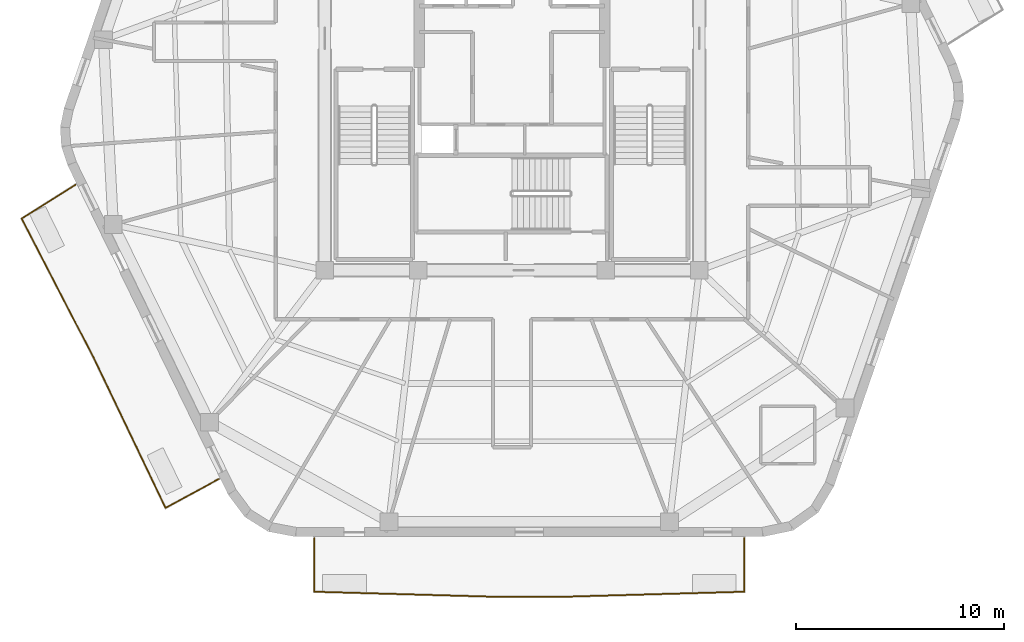
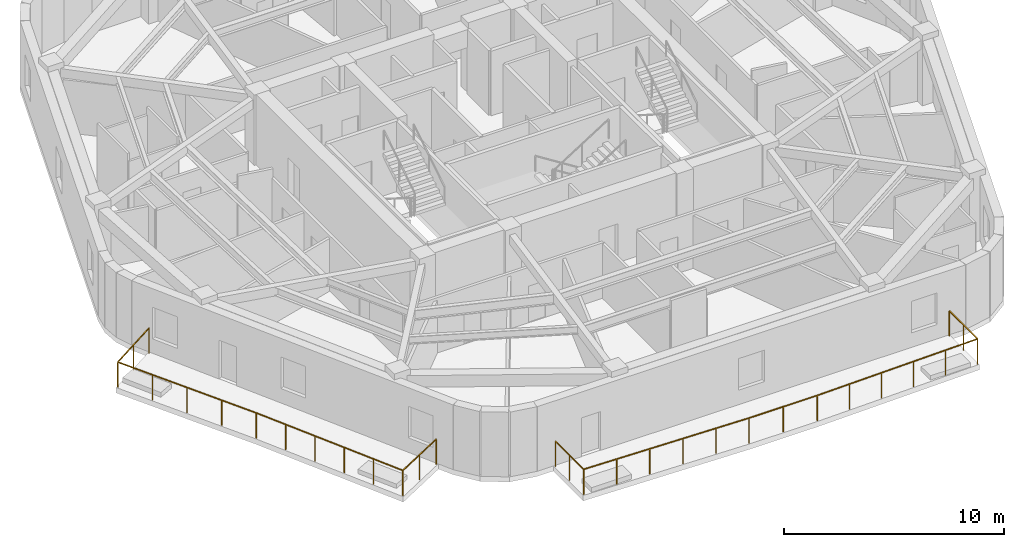
# One storey, part 7 of 9: 2 railings.
"""IFC4 building model written with IfcOpenShell, lengths in metres."""

from ifc_helpers import new_model, si_unit, direction, frame, origin, origin_2d, place, context, subcontext, project, spatial, rectangle, extrude, material, layer, layer_set, type_object, element, save


model = new_model("IFC4")

# Units and contexts
model_context = context("Model", 3, precision=1e-05, world=origin(), true_north=direction((0.0, 1.0)))
body_context = subcontext(model_context, "Body", "Model", "MODEL_VIEW")
ifc_project = project(units=[si_unit("LENGTHUNIT", "METRE"), si_unit("AREAUNIT", "SQUARE_METRE"), si_unit("VOLUMEUNIT", "CUBIC_METRE"), si_unit("PLANEANGLEUNIT", "RADIAN"), si_unit("MASSUNIT", "GRAM", prefix="KILO")], contexts=[model_context])

# Site, building, storey
site_placement = place(None, origin())
site = spatial("IfcSite", under=ifc_project, at=site_placement, CompositionType="ELEMENT")
building_placement = place(site_placement, origin())
building = spatial("IfcBuilding", under=site, at=building_placement, Name="Kilnhurst Terrace Hotel", CompositionType="ELEMENT")
storey_placement = place(building_placement, frame((0.0, 0.0, 284.699951171875)))
storey = spatial("IfcBuildingStorey", under=building, at=storey_placement, Name="L71", CompositionType="ELEMENT", Elevation=284.699951171875)

# Railings
ifc_material = material(Name="Laminated SentryGlas and Stainless Steel AISI 316L Balustrade", Category="steel")
ifc_layer = layer(ifc_material, 0.070068359375, Name="Laminated SentryGlas and Stainless Steel AISI 316L Balustrade")
ifc_layer_set = layer_set([ifc_layer], Name="Laminated SentryGlas and Stainless Steel AISI 316L Balustrade")
railing_type = type_object("IfcRailingType", Name="RLG-BAL-1420", PredefinedType="BALUSTRADE", material=ifc_layer_set)
railing_1_placement = place(storey_placement, frame((-14.089599609375, -17.52880859375, 0.0)))
element("IfcRailing", 1, at=railing_1_placement, inside=storey, type_object=railing_type, Name="L71 Exterior Terrace Guardrail BAL-L2A.1", PredefinedType="BALUSTRADE", context=body_context, shape_type="SweptSolid", body=[
    extrude(rectangle(XDim=0.048095703125, YDim=0.048095703125, at=origin_2d()), frame((0.0, 0.0, 1.39599609375), z_axis=(-0.878504936271, -0.477733269667, 0.0), x_axis=(0.477733269667, -0.878504936271, 0.0)), (0.0, 0.0, 1.0), 2.90576171875),
    extrude(rectangle(XDim=0.048095703125, YDim=0.048095703125, at=origin_2d()), frame((-2.552734375, -1.38818359375, 1.39599609375), z_axis=(-0.432219770894, 0.901768301532, 0.0), x_axis=(-0.901768301532, -0.432219770894, 0.0)), (0.0, 0.0, 1.0), 8.0576171875),
    extrude(rectangle(XDim=0.048095703125, YDim=0.048095703125, at=origin_2d()), frame((-6.035400390625, 5.8779296875, 1.39599609375), z_axis=(-0.496138938357, 0.868243142124, 0.0), x_axis=(-0.868243142124, -0.496138938357, 0.0)), (0.0, 0.0, 1.0), 0.001953125),
    extrude(rectangle(XDim=0.048095703125, YDim=0.048095703125, at=origin_2d()), frame((-6.036376953125, 5.879638671875, 1.39599609375), z_axis=(-0.459705000347, 0.888071682161, 0.0), x_axis=(-0.888071682161, -0.459705000347, 0.0)), (0.0, 0.0, 1.0), 7.46337890625),
    extrude(rectangle(XDim=0.048095703125, YDim=0.048095703125, at=origin_2d()), frame((-9.46728515625, 12.507568359375, 1.39599609375), z_axis=(0.845686755454, 0.533679596434, 0.0), x_axis=(-0.533679596434, 0.845686755454, 0.0)), (0.0, 0.0, 1.0), 3.048583984375),
    extrude(rectangle(XDim=0.0419921875, YDim=0.0419921875, at=origin_2d()), origin(), (0.0, 0.0, 1.0), 1.371826171875),
    extrude(rectangle(XDim=0.0419921875, YDim=0.0419921875, at=origin_2d()), frame((-1.2763671875, -0.694091796875, 0.0)), (0.0, 0.0, 1.0), 1.371826171875),
    extrude(rectangle(XDim=0.0419921875, YDim=0.0419921875, at=origin_2d()), frame((-2.552734375, -1.38818359375, 0.0)), (0.0, 0.0, 1.0), 1.371826171875),
    extrude(rectangle(XDim=0.0419921875, YDim=0.0419921875, at=origin_2d()), frame((-3.249267578125, 0.06494140625, 0.0)), (0.0, 0.0, 1.0), 1.371826171875),
    extrude(rectangle(XDim=0.0419921875, YDim=0.0419921875, at=origin_2d()), frame((-3.94580078125, 1.518310546875, 0.0)), (0.0, 0.0, 1.0), 1.371826171875),
    extrude(rectangle(XDim=0.0419921875, YDim=0.0419921875, at=origin_2d()), frame((-4.642333984375, 2.971435546875, 0.0)), (0.0, 0.0, 1.0), 1.371826171875),
    extrude(rectangle(XDim=0.0419921875, YDim=0.0419921875, at=origin_2d()), frame((-5.3388671875, 4.4248046875, 0.0)), (0.0, 0.0, 1.0), 1.371826171875),
    extrude(rectangle(XDim=0.0419921875, YDim=0.0419921875, at=origin_2d()), frame((-6.035400390625, 5.8779296875, 0.0)), (0.0, 0.0, 1.0), 1.371826171875),
    extrude(rectangle(XDim=0.0419921875, YDim=0.0419921875, at=origin_2d()), frame((-6.036376953125, 5.879638671875, 0.0)), (0.0, 0.0, 1.0), 1.371826171875),
    extrude(rectangle(XDim=0.0419921875, YDim=0.0419921875, at=origin_2d()), frame((-6.89404296875, 7.53662109375, 0.0)), (0.0, 0.0, 1.0), 1.371826171875),
    extrude(rectangle(XDim=0.0419921875, YDim=0.0419921875, at=origin_2d()), frame((-7.751953125, 9.193603515625, 0.0)), (0.0, 0.0, 1.0), 1.371826171875),
    extrude(rectangle(XDim=0.0419921875, YDim=0.0419921875, at=origin_2d()), frame((-8.609619140625, 10.8505859375, 0.0)), (0.0, 0.0, 1.0), 1.371826171875),
    extrude(rectangle(XDim=0.0419921875, YDim=0.0419921875, at=origin_2d()), frame((-9.46728515625, 12.507568359375, 0.0)), (0.0, 0.0, 1.0), 1.371826171875),
    extrude(rectangle(XDim=0.0419921875, YDim=0.0419921875, at=origin_2d()), frame((-8.17822265625, 13.321044921875, 0.0)), (0.0, 0.0, 1.0), 1.371826171875),
    extrude(rectangle(XDim=0.0419921875, YDim=0.0419921875, at=origin_2d()), frame((-6.88916015625, 14.134521484375, 0.0)), (0.0, 0.0, 1.0), 1.371826171875),
])
railing_2_placement = place(storey_placement, frame((11.151611328125, -20.3798828125, 0.0)))
element("IfcRailing", 2, at=railing_2_placement, inside=storey, type_object=railing_type, Name="L71 Exterior Terrace Guardrail BAL-L2B.1", PredefinedType="BALUSTRADE", context=body_context, shape_type="SweptSolid", body=[
    extrude(rectangle(XDim=0.048095703125, YDim=0.048095703125, at=origin_2d()), frame((0.0, 0.0, 1.39599609375), z_axis=(0.0, -1.0, 0.0), x_axis=(1.0, 0.0, 0.0)), (0.0, 0.0, 1.0), 2.561767578125),
    extrude(rectangle(XDim=0.048095703125, YDim=0.048095703125, at=origin_2d()), frame((0.0, -2.561767578125, 1.39599609375), z_axis=(-0.999610218954, -0.027917918323, 0.0), x_axis=(0.027917918323, -0.999610218954, 0.0)), (0.0, 0.0, 1.0), 8.53515625),
    extrude(rectangle(XDim=0.048095703125, YDim=0.048095703125, at=origin_2d()), frame((-8.53173828125, -2.800048828125, 1.39599609375), z_axis=(-1.0, 0.0, 0.0), x_axis=(0.0, -1.0, 0.0)), (0.0, 0.0, 1.0), 3.577880859375),
    extrude(rectangle(XDim=0.048095703125, YDim=0.048095703125, at=origin_2d()), frame((-12.109619140625, -2.800048828125, 1.39599609375), z_axis=(-0.999610218954, 0.027917918323, 0.0), x_axis=(-0.027917918323, -0.999610218954, 0.0)), (0.0, 0.0, 1.0), 8.53515625),
    extrude(rectangle(XDim=0.048095703125, YDim=0.048095703125, at=origin_2d()), frame((-20.641357421875, -2.561767578125, 1.39599609375), z_axis=(0.0, 1.0, 0.0), x_axis=(-1.0, 0.0, 0.0)), (0.0, 0.0, 1.0), 2.561767578125),
    extrude(rectangle(XDim=0.0419921875, YDim=0.0419921875, at=origin_2d()), origin(), (0.0, 0.0, 1.0), 1.371826171875),
    extrude(rectangle(XDim=0.0419921875, YDim=0.0419921875, at=origin_2d()), frame((0.0, -1.28076171875, 0.0)), (0.0, 0.0, 1.0), 1.371826171875),
    extrude(rectangle(XDim=0.0419921875, YDim=0.0419921875, at=origin_2d()), frame((0.0, -2.561767578125, 0.0)), (0.0, 0.0, 1.0), 1.371826171875),
    extrude(rectangle(XDim=0.0419921875, YDim=0.0419921875, at=origin_2d()), frame((-1.706298828125, -2.609375, 0.0)), (0.0, 0.0, 1.0), 1.371826171875),
    extrude(rectangle(XDim=0.0419921875, YDim=0.0419921875, at=origin_2d()), frame((-3.41259765625, -2.656982421875, 0.0)), (0.0, 0.0, 1.0), 1.371826171875),
    extrude(rectangle(XDim=0.0419921875, YDim=0.0419921875, at=origin_2d()), frame((-5.119140625, -2.704833984375, 0.0)), (0.0, 0.0, 1.0), 1.371826171875),
    extrude(rectangle(XDim=0.0419921875, YDim=0.0419921875, at=origin_2d()), frame((-6.825439453125, -2.75244140625, 0.0)), (0.0, 0.0, 1.0), 1.371826171875),
    extrude(rectangle(XDim=0.0419921875, YDim=0.0419921875, at=origin_2d()), frame((-8.53173828125, -2.800048828125, 0.0)), (0.0, 0.0, 1.0), 1.371826171875),
    extrude(rectangle(XDim=0.0419921875, YDim=0.0419921875, at=origin_2d()), frame((-10.32080078125, -2.800048828125, 0.0)), (0.0, 0.0, 1.0), 1.371826171875),
    extrude(rectangle(XDim=0.0419921875, YDim=0.0419921875, at=origin_2d()), frame((-12.109619140625, -2.800048828125, 0.0)), (0.0, 0.0, 1.0), 1.371826171875),
    extrude(rectangle(XDim=0.0419921875, YDim=0.0419921875, at=origin_2d()), frame((-13.81591796875, -2.75244140625, 0.0)), (0.0, 0.0, 1.0), 1.371826171875),
    extrude(rectangle(XDim=0.0419921875, YDim=0.0419921875, at=origin_2d()), frame((-15.522216796875, -2.704833984375, 0.0)), (0.0, 0.0, 1.0), 1.371826171875),
    extrude(rectangle(XDim=0.0419921875, YDim=0.0419921875, at=origin_2d()), frame((-17.228759765625, -2.656982421875, 0.0)), (0.0, 0.0, 1.0), 1.371826171875),
    extrude(rectangle(XDim=0.0419921875, YDim=0.0419921875, at=origin_2d()), frame((-18.93505859375, -2.609375, 0.0)), (0.0, 0.0, 1.0), 1.371826171875),
    extrude(rectangle(XDim=0.0419921875, YDim=0.0419921875, at=origin_2d()), frame((-20.641357421875, -2.561767578125, 0.0)), (0.0, 0.0, 1.0), 1.371826171875),
    extrude(rectangle(XDim=0.0419921875, YDim=0.0419921875, at=origin_2d()), frame((-20.641357421875, -1.28076171875, 0.0)), (0.0, 0.0, 1.0), 1.371826171875),
    extrude(rectangle(XDim=0.0419921875, YDim=0.0419921875, at=origin_2d()), frame((-20.641357421875, 0.0, 0.0)), (0.0, 0.0, 1.0), 1.371826171875),
])

save(model, "model.ifc")
